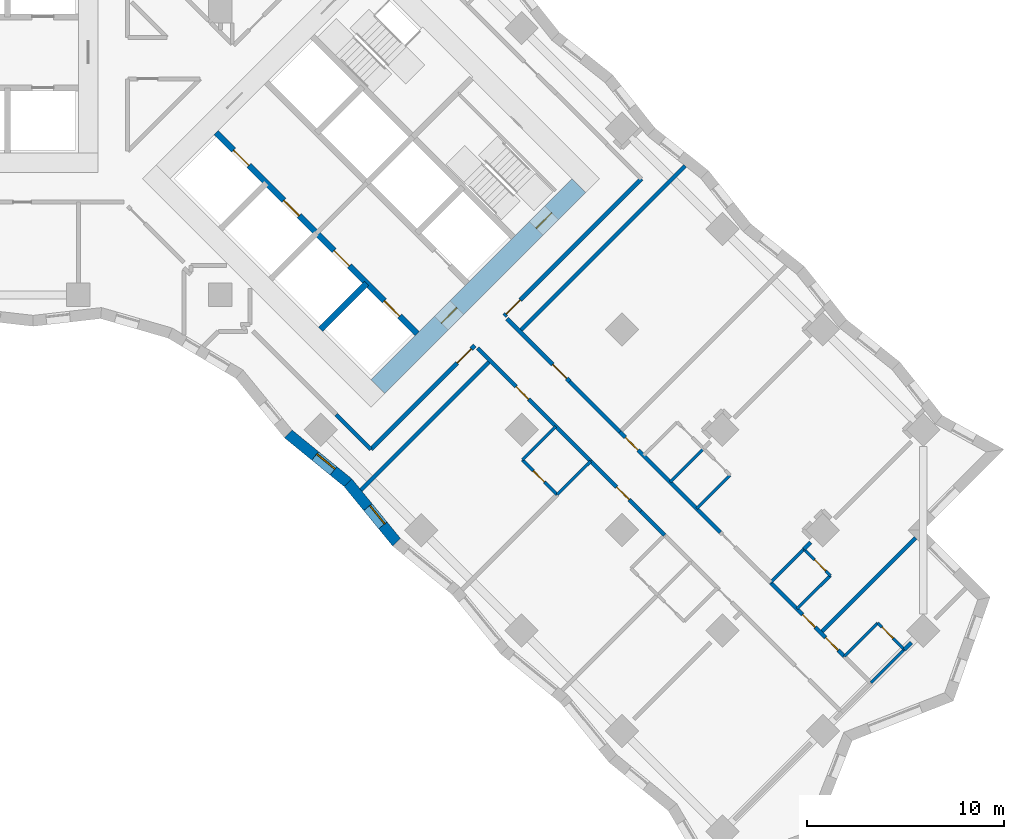
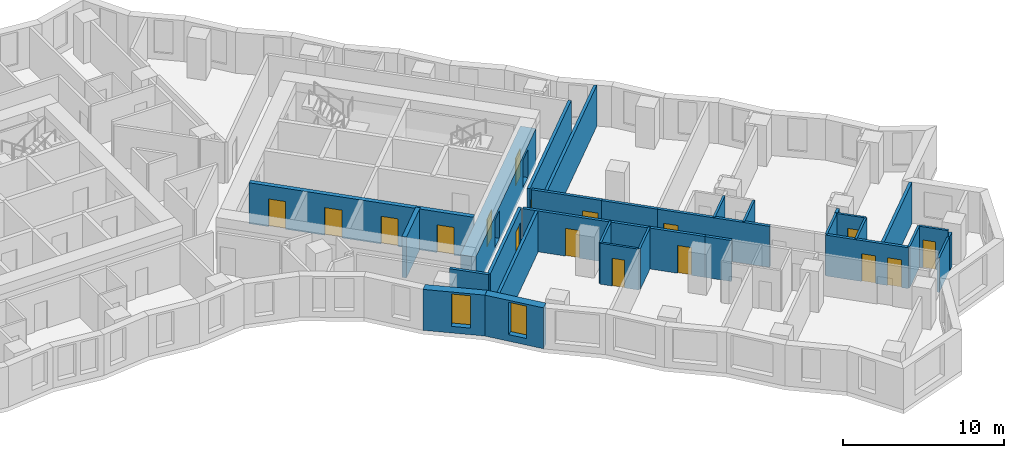
# One storey, part 8 of 12: 31 walls, 17 doors, 2 windows, 19 openings.
"""IFC4 building model written with IfcOpenShell, lengths in metres."""

from ifc_helpers import new_model, si_unit, direction, frame, frame_2d, origin, place, context, subcontext, project, spatial, polyline, rectangle, outline, extrude, material, layer, layer_set, type_object, element, fill, save


model = new_model("IFC4")

# Units and contexts
model_context = context("Model", 3, precision=1e-05, world=origin(), true_north=direction((0.0, 1.0)))
body_context = subcontext(model_context, "Body", "Model", "MODEL_VIEW")
ifc_project = project(units=[si_unit("LENGTHUNIT", "METRE"), si_unit("AREAUNIT", "SQUARE_METRE"), si_unit("VOLUMEUNIT", "CUBIC_METRE"), si_unit("PLANEANGLEUNIT", "RADIAN"), si_unit("MASSUNIT", "GRAM", prefix="KILO")], contexts=[model_context])

# Site, building, storey
site_placement = place(None, origin())
site = spatial("IfcSite", under=ifc_project, at=site_placement, CompositionType="ELEMENT")
building_placement = place(site_placement, origin())
building = spatial("IfcBuilding", under=site, at=building_placement, Name="Windrow Commons", CompositionType="ELEMENT")
storey_placement = place(building_placement, frame((0.0, 0.0, 37.2)))
storey = spatial("IfcBuildingStorey", under=building, at=storey_placement, Name="L09", CompositionType="ELEMENT", Elevation=37.2)

# Wall, opening, window
ifc_material_1 = material(Name="Brick masonry, red clay brick", Category="masonry")
ifc_layer_1 = layer(ifc_material_1, 0.55)
ifc_layer_set_1 = layer_set([ifc_layer_1], Name="Brick facade wall 550")
wall_type_1 = type_object("IfcWallType", Name="Brick facade wall 550", PredefinedType="SOLIDWALL", material=ifc_layer_set_1)
wall_1_placement = place(storey_placement, frame((82.647, 36.1468, 0.0), z_axis=(0.0, 0.0, 1.0), x_axis=(0.7745059294, -0.6325666489, 0.0)))
wall_1 = element("IfcWall", 1, at=wall_1_placement, inside=storey, type_object=wall_type_1, Name="Brick facade wall L09 56", PredefinedType="SOLIDWALL", context=body_context, shape_type="SweptSolid", body=[
    extrude(outline(polyline([(-0.0277, -0.275), (3.8682, -0.275), (3.9237, 0.275), (0.0277, 0.275), (-0.0277, -0.275)])), origin(), (0.0, 0.0, 1.0), 3.1),
])
opening_1_placement = place(wall_1_placement, frame((1.7558, 0.0, 0.5)))
opening_1 = element("IfcOpeningElement", 2, at=opening_1_placement, cuts=wall_1, Name="Opening W7D", PredefinedType="OPENING", context=body_context, shape_type="SweptSolid", body=[
    extrude(rectangle(XDim=1.2, YDim=2.45, at=frame_2d((0.6, 1.225))), frame((0.0, 0.285, 0.0), z_axis=(0.0, -1.0, 0.0), x_axis=(1.0, 0.0, 0.0)), (0.0, 0.0, 1.0), 0.57),
])
ifc_material_2 = material(Name="Clear float glass in anodised aluminium frame", Category="aluminium")
window_type = type_object("IfcWindowType", Name="Window W7 notch 1200x2450", PartitioningType="SINGLE_PANEL", PredefinedType="WINDOW", material=ifc_material_2)
window_1_placement = place(opening_1_placement, origin())
window_1 = element("IfcWindow", 3, at=window_1_placement, inside=storey, type_object=window_type, Name="Window L09 56.1", OverallHeight=2.45, OverallWidth=1.2, PartitioningType="SINGLE_PANEL", PredefinedType="WINDOW", context=body_context, shape_type="SweptSolid", body=[
    extrude(rectangle(XDim=1.2, YDim=2.45, at=frame_2d((0.6, 1.225))), frame((0.0, 0.155, 0.0), z_axis=(0.0, -1.0, 0.0), x_axis=(1.0, 0.0, 0.0)), (0.0, 0.0, 1.0), 0.06),
])
fill(opening_1, window_1)

wall_2_placement = place(storey_placement, frame((85.6645, 33.6823, 0.0), z_axis=(0.0, 0.0, 1.0), x_axis=(0.6325666489, -0.7745059294, 0.0)))
wall_2 = element("IfcWall", 4, at=wall_2_placement, inside=storey, type_object=wall_type_1, Name="Brick facade wall L09 57", PredefinedType="SOLIDWALL", context=body_context, shape_type="SweptSolid", body=[
    extrude(outline(polyline([(0.0277, -0.275), (3.9237, -0.275), (3.8682, 0.275), (-0.0277, 0.275), (0.0277, -0.275)])), origin(), (0.0, 0.0, 1.0), 3.1),
])
opening_2_placement = place(wall_2_placement, frame((1.6031, 0.0, 0.5)))
opening_2 = element("IfcOpeningElement", 5, at=opening_2_placement, cuts=wall_2, Name="Opening W7D", PredefinedType="OPENING", context=body_context, shape_type="SweptSolid", body=[
    extrude(rectangle(XDim=1.2, YDim=2.45, at=frame_2d((0.6, 1.225))), frame((0.0, 0.285, 0.0), z_axis=(0.0, -1.0, 0.0), x_axis=(1.0, 0.0, 0.0)), (0.0, 0.0, 1.0), 0.57),
])
window_2_placement = place(opening_2_placement, origin())
window_2 = element("IfcWindow", 6, at=window_2_placement, inside=storey, type_object=window_type, Name="Window L09 57.1", OverallHeight=2.45, OverallWidth=1.2, PartitioningType="SINGLE_PANEL", PredefinedType="WINDOW", context=body_context, shape_type="SweptSolid", body=[
    extrude(rectangle(XDim=1.2, YDim=2.45, at=frame_2d((0.6, 1.225))), frame((0.0, 0.155, 0.0), z_axis=(0.0, -1.0, 0.0), x_axis=(1.0, 0.0, 0.0)), (0.0, 0.0, 1.0), 0.06),
])
fill(opening_2, window_2)

# Wall, opening, door
ifc_material_3 = material(Name="Blockwork partition", Category="masonry")
ifc_layer_2 = layer(ifc_material_3, 0.2)
ifc_layer_set_2 = layer_set([ifc_layer_2], Name="IW-CORRIDOR-200")
wall_type_2 = type_object("IfcWallType", Name="IW-CORRIDOR-200", PredefinedType="PARTITIONING", material=ifc_layer_set_2)
wall_3_placement = place(storey_placement, frame((93.5896, 42.1264, 0.0), z_axis=(0.0, 0.0, 1.0), x_axis=(0.7071067812, 0.7071067812, 0.0)))
wall_3 = element("IfcWall", 7, at=wall_3_placement, inside=storey, type_object=wall_type_2, Name="W-L09-W011", PredefinedType="PARTITIONING", context=body_context, shape_type="SweptSolid", body=[
    extrude(rectangle(XDim=9.8486, YDim=0.2, at=frame_2d((4.9243, 0.0))), origin(), (0.0, 0.0, 1.0), 3.1),
])
opening_3_placement = place(wall_3_placement, frame((0.1482, 0.0, 0.0)))
opening_3 = element("IfcOpeningElement", 8, at=opening_3_placement, cuts=wall_3, Name="Opening D310F", PredefinedType="OPENING", context=body_context, shape_type="SweptSolid", body=[
    extrude(rectangle(XDim=1.0, YDim=2.1, at=frame_2d((0.5, 1.05))), frame((0.0, 0.11, 0.0), z_axis=(0.0, -1.0, 0.0), x_axis=(1.0, 0.0, 0.0)), (0.0, 0.0, 1.0), 0.22),
])
ifc_material_4 = material(Name="Timber door leaf", Category="wood")
door_type_1 = type_object("IfcDoorType", Name="DT-AMENITY-1000", OperationType="SINGLE_SWING_LEFT", PredefinedType="DOOR", material=ifc_material_4)
door_1_placement = place(opening_3_placement, origin())
door_1 = element("IfcDoor", 9, at=door_1_placement, inside=storey, type_object=door_type_1, Name="D-L09-D039", OperationType="SINGLE_SWING_LEFT", OverallHeight=2.1, OverallWidth=1.0, PredefinedType="DOOR", context=body_context, shape_type="SweptSolid", body=[
    extrude(rectangle(XDim=1.0, YDim=2.1, at=frame_2d((0.5, 1.05))), frame((0.0, 0.025, 0.0), z_axis=(0.0, -1.0, 0.0), x_axis=(1.0, 0.0, 0.0)), (0.0, 0.0, 1.0), 0.05),
])
fill(opening_3, door_1)

wall_4_placement = place(storey_placement, frame((92.243, 40.495, 0.0), z_axis=(0.0, 0.0, 1.0), x_axis=(0.7071067812, -0.7071067812, 0.0)))
wall_4 = element("IfcWall", 10, at=wall_4_placement, inside=storey, type_object=wall_type_2, Name="W-L09-W015", PredefinedType="PARTITIONING", context=body_context, shape_type="SweptSolid", body=[
    extrude(rectangle(XDim=8.1006, YDim=0.2, at=frame_2d((4.0503, 0.0))), origin(), (0.0, 0.0, 1.0), 3.1),
])
opening_4_placement = place(wall_4_placement, frame((2.7498, 0.0, 0.0)))
opening_4 = element("IfcOpeningElement", 11, at=opening_4_placement, cuts=wall_4, Name="Opening D109F", PredefinedType="OPENING", context=body_context, shape_type="SweptSolid", body=[
    extrude(rectangle(XDim=0.9, YDim=2.1, at=frame_2d((0.45, 1.05))), frame((0.0, 0.11, 0.0), z_axis=(0.0, -1.0, 0.0), x_axis=(1.0, 0.0, 0.0)), (0.0, 0.0, 1.0), 0.22),
])
ifc_material_5 = material(Name="Timber door leaf", Category="wood")
door_type_2 = type_object("IfcDoorType", Name="DT-BEDROOM-900", OperationType="SINGLE_SWING_LEFT", PredefinedType="DOOR", material=ifc_material_5)
door_2_placement = place(opening_4_placement, origin())
door_2 = element("IfcDoor", 12, at=door_2_placement, inside=storey, type_object=door_type_2, Name="D-L09-D051", OperationType="SINGLE_SWING_LEFT", OverallHeight=2.1, OverallWidth=0.9, PredefinedType="DOOR", context=body_context, shape_type="SweptSolid", body=[
    extrude(rectangle(XDim=0.9, YDim=2.1, at=frame_2d((0.45, 1.05))), frame((0.0, 0.025, 0.0), z_axis=(0.0, -1.0, 0.0), x_axis=(1.0, 0.0, 0.0)), (0.0, 0.0, 1.0), 0.05),
])
fill(opening_4, door_2)

wall_5_placement = place(storey_placement, frame((86.8356, 35.3724, 0.0), z_axis=(0.0, 0.0, 1.0), x_axis=(0.7071067812, 0.7071067812, 0.0)))
wall_5 = element("IfcWall", 13, at=wall_5_placement, inside=storey, type_object=wall_type_2, Name="W-L09-W016", PredefinedType="PARTITIONING", context=body_context, shape_type="SweptSolid", body=[
    extrude(rectangle(XDim=7.4501, YDim=0.2, at=frame_2d((3.725, 0.0))), origin(), (0.0, 0.0, 1.0), 3.1),
])
opening_5_placement = place(wall_5_placement, frame((6.1921, 0.0, 0.0)))
opening_5 = element("IfcOpeningElement", 14, at=opening_5_placement, cuts=wall_5, Name="Opening D310F", PredefinedType="OPENING", context=body_context, shape_type="SweptSolid", body=[
    extrude(rectangle(XDim=1.0, YDim=2.1, at=frame_2d((0.5, 1.05))), frame((0.0, 0.11, 0.0), z_axis=(0.0, -1.0, 0.0), x_axis=(1.0, 0.0, 0.0)), (0.0, 0.0, 1.0), 0.22),
])
door_3_placement = place(opening_5_placement, origin())
door_3 = element("IfcDoor", 15, at=door_3_placement, inside=storey, type_object=door_type_1, Name="D-L09-D050", OperationType="SINGLE_SWING_RIGHT", OverallHeight=2.1, OverallWidth=1.0, PredefinedType="DOOR", context=body_context, shape_type="SweptSolid", body=[
    extrude(rectangle(XDim=1.0, YDim=2.1, at=frame_2d((0.5, 1.05))), frame((0.0, 0.025, 0.0), z_axis=(0.0, -1.0, 0.0), x_axis=(1.0, 0.0, 0.0)), (0.0, 0.0, 1.0), 0.05),
])
fill(opening_5, door_3)

wall_6_placement = place(storey_placement, frame((99.455, 36.253, 0.0), z_axis=(0.0, 0.0, 1.0), x_axis=(0.7071067812, -0.7071067812, 0.0)))
wall_6 = element("IfcWall", 16, at=wall_6_placement, inside=storey, type_object=wall_type_2, Name="W-L09-W017", PredefinedType="PARTITIONING", context=body_context, shape_type="SweptSolid", body=[
    extrude(rectangle(XDim=7.2012, YDim=0.2, at=frame_2d((3.6006, 0.0))), origin(), (0.0, 0.0, 1.0), 3.1),
])
opening_6_placement = place(wall_6_placement, frame((0.4006, 0.0, 0.0)))
opening_6 = element("IfcOpeningElement", 17, at=opening_6_placement, cuts=wall_6, Name="Opening D109S", PredefinedType="OPENING", context=body_context, shape_type="SweptSolid", body=[
    extrude(rectangle(XDim=0.9, YDim=2.1, at=frame_2d((0.45, 1.05))), frame((0.0, 0.11, 0.0), z_axis=(0.0, -1.0, 0.0), x_axis=(1.0, 0.0, 0.0)), (0.0, 0.0, 1.0), 0.22),
])
door_4_placement = place(opening_6_placement, origin())
door_4 = element("IfcDoor", 18, at=door_4_placement, inside=storey, type_object=door_type_2, Name="D-L09-D041", OperationType="SINGLE_SWING_RIGHT", OverallHeight=2.1, OverallWidth=0.9, PredefinedType="DOOR", context=body_context, shape_type="SweptSolid", body=[
    extrude(rectangle(XDim=0.9, YDim=2.1, at=frame_2d((0.45, 1.05))), frame((0.0, 0.025, 0.0), z_axis=(0.0, -1.0, 0.0), x_axis=(1.0, 0.0, 0.0)), (0.0, 0.0, 1.0), 0.05),
])
fill(opening_6, door_4)

# Wall, openings, doors
wall_7_placement = place(storey_placement, frame((107.093, 28.615, 0.0), z_axis=(0.0, 0.0, 1.0), x_axis=(0.7072011313, -0.7070124185, 0.0)))
wall_7 = element("IfcWall", 19, at=wall_7_placement, inside=storey, type_object=wall_type_2, Name="W-L09-W038", PredefinedType="PARTITIONING", context=body_context, shape_type="SweptSolid", body=[
    extrude(rectangle(XDim=5.2991, YDim=0.2, at=frame_2d((2.6496, 0.0))), origin(), (0.0, 0.0, 1.0), 3.1),
])
opening_7_placement = place(wall_7_placement, frame((2.2988, 0.0, 0.0)))
opening_7 = element("IfcOpeningElement", 20, at=opening_7_placement, cuts=wall_7, Name="Opening D109S", PredefinedType="OPENING", context=body_context, shape_type="SweptSolid", body=[
    extrude(rectangle(XDim=0.9, YDim=2.1, at=frame_2d((0.45, 1.05))), frame((0.0, 0.11, 0.0), z_axis=(0.0, -1.0, 0.0), x_axis=(1.0, 0.0, 0.0)), (0.0, 0.0, 1.0), 0.22),
])
opening_8_placement = place(wall_7_placement, frame((3.9488, 0.0, 0.0)))
opening_8 = element("IfcOpeningElement", 21, at=opening_8_placement, cuts=wall_7, Name="Opening D109S", PredefinedType="OPENING", context=body_context, shape_type="SweptSolid", body=[
    extrude(rectangle(XDim=0.9, YDim=2.1, at=frame_2d((0.45, 1.05))), frame((0.0, 0.11, 0.0), z_axis=(0.0, -1.0, 0.0), x_axis=(1.0, 0.0, 0.0)), (0.0, 0.0, 1.0), 0.22),
])
door_5_placement = place(opening_7_placement, origin())
door_5 = element("IfcDoor", 22, at=door_5_placement, inside=storey, type_object=door_type_2, Name="D-L09-D045", OperationType="SINGLE_SWING_LEFT", OverallHeight=2.1, OverallWidth=0.9, PredefinedType="DOOR", context=body_context, shape_type="SweptSolid", body=[
    extrude(rectangle(XDim=0.9, YDim=2.1, at=frame_2d((0.45, 1.05))), frame((0.0, 0.025, 0.0), z_axis=(0.0, -1.0, 0.0), x_axis=(1.0, 0.0, 0.0)), (0.0, 0.0, 1.0), 0.05),
])
fill(opening_7, door_5)
door_6_placement = place(opening_8_placement, origin())
door_6 = element("IfcDoor", 23, at=door_6_placement, inside=storey, type_object=door_type_2, Name="D-L09-D058", OperationType="SINGLE_SWING_RIGHT", OverallHeight=2.1, OverallWidth=0.9, PredefinedType="DOOR", context=body_context, shape_type="SweptSolid", body=[
    extrude(rectangle(XDim=0.9, YDim=2.1, at=frame_2d((0.45, 1.05))), frame((0.0, 0.025, 0.0), z_axis=(0.0, -1.0, 0.0), x_axis=(1.0, 0.0, 0.0)), (0.0, 0.0, 1.0), 0.05),
])
fill(opening_8, door_6)

# Wall, opening, door
wall_8_placement = place(storey_placement, frame((93.735, 41.987, 0.0), z_axis=(0.0, 0.0, 1.0), x_axis=(0.7071067812, -0.7071067812, 0.0)))
wall_8 = element("IfcWall", 24, at=wall_8_placement, inside=storey, type_object=wall_type_2, Name="W-L09-W045", PredefinedType="PARTITIONING", context=body_context, shape_type="SweptSolid", body=[
    extrude(rectangle(XDim=4.5, YDim=0.2, at=frame_2d((2.25, 0.0))), origin(), (0.0, 0.0, 1.0), 3.1),
])
opening_9_placement = place(wall_8_placement, frame((3.2736, 0.0, 0.0)))
opening_9 = element("IfcOpeningElement", 25, at=opening_9_placement, cuts=wall_8, Name="Opening D310F", PredefinedType="OPENING", context=body_context, shape_type="SweptSolid", body=[
    extrude(rectangle(XDim=1.0, YDim=2.1, at=frame_2d((0.5, 1.05))), frame((0.0, 0.11, 0.0), z_axis=(0.0, -1.0, 0.0), x_axis=(1.0, 0.0, 0.0)), (0.0, 0.0, 1.0), 0.22),
])
door_7_placement = place(opening_9_placement, origin())
door_7 = element("IfcDoor", 26, at=door_7_placement, inside=storey, type_object=door_type_1, Name="D-L09-D040", OperationType="SINGLE_SWING_RIGHT", OverallHeight=2.1, OverallWidth=1.0, PredefinedType="DOOR", context=body_context, shape_type="SweptSolid", body=[
    extrude(rectangle(XDim=1.0, YDim=2.1, at=frame_2d((0.5, 1.05))), frame((0.0, 0.025, 0.0), z_axis=(0.0, -1.0, 0.0), x_axis=(1.0, 0.0, 0.0)), (0.0, 0.0, 1.0), 0.05),
])
fill(opening_9, door_7)

# Wall
wall_9_placement = place(storey_placement, frame((96.9127, 38.8007, 0.0), z_axis=(0.0, 0.0, 1.0), x_axis=(0.7068288851, -0.7073845681, 0.0)))
element("IfcWall", 27, at=wall_9_placement, inside=storey, type_object=wall_type_2, Name="W-L09-W056", PredefinedType="PARTITIONING", context=body_context, shape_type="SweptSolid", body=[
    extrude(rectangle(XDim=3.5992, YDim=0.2, at=frame_2d((1.7996, 0.0))), origin(), (0.0, 0.0, 1.0), 3.1),
])

# Wall, opening, door
wall_10_placement = place(storey_placement, frame((97.9764, 34.7724, 0.0), z_axis=(0.0, 0.0, 1.0), x_axis=(0.7073845681, -0.7068288851, 0.0)))
wall_10 = element("IfcWall", 28, at=wall_10_placement, inside=storey, type_object=wall_type_2, Name="W-L09-W057", PredefinedType="PARTITIONING", context=body_context, shape_type="SweptSolid", body=[
    extrude(rectangle(XDim=3.5992, YDim=0.2, at=frame_2d((1.7996, 0.0))), origin(), (0.0, 0.0, 1.0), 3.1),
])
opening_10_placement = place(wall_10_placement, frame((1.8576, 0.0, 0.0)))
opening_10 = element("IfcOpeningElement", 29, at=opening_10_placement, cuts=wall_10, Name="Opening D109F", PredefinedType="OPENING", context=body_context, shape_type="SweptSolid", body=[
    extrude(rectangle(XDim=0.9, YDim=2.1, at=frame_2d((0.45, 1.05))), frame((0.0, 0.11, 0.0), z_axis=(0.0, -1.0, 0.0), x_axis=(1.0, 0.0, 0.0)), (0.0, 0.0, 1.0), 0.22),
])
door_8_placement = place(opening_10_placement, origin())
door_8 = element("IfcDoor", 30, at=door_8_placement, inside=storey, type_object=door_type_2, Name="D-L09-D053", OperationType="SINGLE_SWING_LEFT", OverallHeight=2.1, OverallWidth=0.9, PredefinedType="DOOR", context=body_context, shape_type="SweptSolid", body=[
    extrude(rectangle(XDim=0.9, YDim=2.1, at=frame_2d((0.45, 1.05))), frame((0.0, 0.025, 0.0), z_axis=(0.0, -1.0, 0.0), x_axis=(1.0, 0.0, 0.0)), (0.0, 0.0, 1.0), 0.05),
])
fill(opening_10, door_8)

# Walls
wall_11_placement = place(storey_placement, frame((85.0651, 37.1371, 0.0), z_axis=(0.0, 0.0, 1.0), x_axis=(0.7071067812, -0.7071067812, 0.0)))
element("IfcWall", 31, at=wall_11_placement, inside=storey, type_object=wall_type_2, Name="W-L09-W069", PredefinedType="PARTITIONING", context=body_context, shape_type="SweptSolid", body=[
    extrude(rectangle(XDim=2.5003, YDim=0.2, at=frame_2d((1.2502, 0.0))), origin(), (0.0, 0.0, 1.0), 3.1),
])
wall_12_placement = place(storey_placement, frame((100.5231, 32.2291, 0.0), z_axis=(0.0, 0.0, 1.0), x_axis=(0.7071067812, -0.7071067812, 0.0)))
element("IfcWall", 32, at=wall_12_placement, inside=storey, type_object=wall_type_2, Name="W-L09-W150", PredefinedType="PARTITIONING", context=body_context, shape_type="SweptSolid", body=[
    extrude(rectangle(XDim=1.6999, YDim=0.2, at=frame_2d((0.8499, 0.0))), origin(), (0.0, 0.0, 1.0), 3.1),
])

# Wall, opening, door
ifc_material_6 = material(Name="Blockwork partition", Category="masonry")
ifc_layer_3 = layer(ifc_material_6, 0.15)
ifc_layer_set_3 = layer_set([ifc_layer_3], Name="IW-ENSUITE-150")
wall_type_3 = type_object("IfcWallType", Name="IW-ENSUITE-150", PredefinedType="PARTITIONING", material=ifc_layer_set_3)
wall_13_placement = place(storey_placement, frame((94.505, 34.839, 0.0), z_axis=(0.0, 0.0, 1.0), x_axis=(0.7071067812, -0.7071067812, 0.0)))
wall_13 = element("IfcWall", 33, at=wall_13_placement, inside=storey, type_object=wall_type_3, Name="W-L09-W070", PredefinedType="PARTITIONING", context=body_context, shape_type="SweptSolid", body=[
    extrude(rectangle(XDim=2.5003, YDim=0.15, at=frame_2d((1.2502, 0.0))), origin(), (0.0, 0.0, 1.0), 3.1),
])
opening_11_placement = place(wall_13_placement, frame((0.7918, 0.0, 0.0)))
opening_11 = element("IfcOpeningElement", 34, at=opening_11_placement, cuts=wall_13, Name="Opening D208N", PredefinedType="OPENING", context=body_context, shape_type="SweptSolid", body=[
    extrude(rectangle(XDim=0.8, YDim=2.1, at=frame_2d((0.4, 1.05))), frame((0.0, 0.085, 0.0), z_axis=(0.0, -1.0, 0.0), x_axis=(1.0, 0.0, 0.0)), (0.0, 0.0, 1.0), 0.17),
])
ifc_material_7 = material(Name="Timber door leaf", Category="wood")
door_type_3 = type_object("IfcDoorType", Name="DT-ENSUITE-800", OperationType="SINGLE_SWING_LEFT", PredefinedType="DOOR", material=ifc_material_7)
door_9_placement = place(opening_11_placement, origin())
door_9 = element("IfcDoor", 35, at=door_9_placement, inside=storey, type_object=door_type_3, Name="D-L09-D052", OperationType="SINGLE_SWING_RIGHT", OverallHeight=2.1, OverallWidth=0.8, PredefinedType="DOOR", context=body_context, shape_type="SweptSolid", body=[
    extrude(rectangle(XDim=0.8, YDim=2.1, at=frame_2d((0.4, 1.05))), frame((0.0, 0.025, 0.0), z_axis=(0.0, -1.0, 0.0), x_axis=(1.0, 0.0, 0.0)), (0.0, 0.0, 1.0), 0.05),
])
fill(opening_11, door_9)

# Walls
wall_14_placement = place(storey_placement, frame((102.0032, 33.7108, 0.0), z_axis=(0.0, 0.0, 1.0), x_axis=(0.7071067812, 0.7071067812, 0.0)))
element("IfcWall", 36, at=wall_14_placement, inside=storey, type_object=wall_type_3, Name="W-L09-W074", PredefinedType="PARTITIONING", context=body_context, shape_type="SweptSolid", body=[
    extrude(rectangle(XDim=2.4013, YDim=0.15, at=frame_2d((1.2006, 0.0))), origin(), (0.0, 0.0, 1.0), 3.1),
])
for number, where, z_axis, x_axis, name in (
    (37, (96.2784, 33.0716, 0.0), (0.0, 0.0, 1.0), (0.7075233388, 0.706689978, 0.0), "W-L09-W102"),
    (38, (94.5106, 34.8394, 0.0), (0.0, 0.0, 1.0), (0.7075233388, 0.706689978, 0.0), "W-L09-W103"),
    (39, (108.4354, 27.2786, 0.0), (0.0, 0.0, 1.0), (0.7075233388, 0.706689978, 0.0), "W-L09-W106"),
    (40, (103.3491, 32.3649, 0.0), (0.0, 0.0, 1.0), (0.706689978, 0.7075233388, 0.0), "W-L09-W107"),
):
    element("IfcWall", number, at=place(storey_placement, frame(where, z_axis=z_axis, x_axis=x_axis)), inside=storey, type_object=wall_type_3, Name=name, PredefinedType="PARTITIONING", context=body_context, shape_type="SweptSolid", body=[
        extrude(rectangle(XDim=2.3999, YDim=0.15, at=frame_2d((1.2, 0.0))), origin(), (0.0, 0.0, 1.0), 3.1),
    ])
wall_15_placement = place(storey_placement, frame((112.1831, 23.5309, 0.0), z_axis=(0.0, 0.0, 1.0), x_axis=(0.7075233388, 0.706689978, 0.0)))
element("IfcWall", 41, at=wall_15_placement, inside=storey, type_object=wall_type_3, Name="W-L09-W108", PredefinedType="PARTITIONING", context=body_context, shape_type="SweptSolid", body=[
    extrude(rectangle(XDim=2.3999, YDim=0.15, at=frame_2d((1.2, 0.0))), origin(), (0.0, 0.0, 1.0), 2.6),
])
for number, where, z_axis, x_axis, name in (
    (42, (107.0954, 28.6206, 0.0), (0.0, 0.0, 1.0), (0.7071067812, 0.7071067812, 0.0), "W-L09-W110"),
    (43, (110.843, 24.873, 0.0), (0.0, 0.0, 1.0), (0.7071067812, 0.7071067812, 0.0), "W-L09-W111"),
):
    element("IfcWall", number, at=place(storey_placement, frame(where, z_axis=z_axis, x_axis=x_axis)), inside=storey, type_object=wall_type_3, Name=name, PredefinedType="PARTITIONING", context=body_context, shape_type="SweptSolid", body=[
        extrude(rectangle(XDim=2.3985, YDim=0.15, at=frame_2d((1.1992, 0.0))), origin(), (0.0, 0.0, 1.0), 3.1),
    ])

# Wall, opening, door
wall_16_placement = place(storey_placement, frame((108.789, 30.313, 0.0), z_axis=(0.0, 0.0, 1.0), x_axis=(0.7071067812, -0.7071067812, 0.0)))
wall_16 = element("IfcWall", 44, at=wall_16_placement, inside=storey, type_object=wall_type_3, Name="W-L09-W124", PredefinedType="PARTITIONING", context=body_context, shape_type="SweptSolid", body=[
    extrude(rectangle(XDim=1.9007, YDim=0.15, at=frame_2d((0.9504, 0.0))), origin(), (0.0, 0.0, 1.0), 3.1),
])
opening_12_placement = place(wall_16_placement, frame((0.7596, 0.0, 0.0)))
opening_12 = element("IfcOpeningElement", 45, at=opening_12_placement, cuts=wall_16, Name="Opening D208N", PredefinedType="OPENING", context=body_context, shape_type="SweptSolid", body=[
    extrude(rectangle(XDim=0.8, YDim=2.1, at=frame_2d((0.4, 1.05))), frame((0.0, 0.085, 0.0), z_axis=(0.0, -1.0, 0.0), x_axis=(1.0, 0.0, 0.0)), (0.0, 0.0, 1.0), 0.17),
])
door_10_placement = place(opening_12_placement, origin())
door_10 = element("IfcDoor", 46, at=door_10_placement, inside=storey, type_object=door_type_3, Name="D-L09-D046", OperationType="SINGLE_SWING_RIGHT", OverallHeight=2.1, OverallWidth=0.8, PredefinedType="DOOR", context=body_context, shape_type="SweptSolid", body=[
    extrude(rectangle(XDim=0.8, YDim=2.1, at=frame_2d((0.4, 1.05))), frame((0.0, 0.025, 0.0), z_axis=(0.0, -1.0, 0.0), x_axis=(1.0, 0.0, 0.0)), (0.0, 0.0, 1.0), 0.05),
])
fill(opening_12, door_10)

wall_17_placement = place(storey_placement, frame((112.537, 26.565, 0.0), z_axis=(0.0, 0.0, 1.0), x_axis=(0.7071067812, -0.7071067812, 0.0)))
wall_17 = element("IfcWall", 47, at=wall_17_placement, inside=storey, type_object=wall_type_3, Name="W-L09-W125", PredefinedType="PARTITIONING", context=body_context, shape_type="SweptSolid", body=[
    extrude(rectangle(XDim=1.9007, YDim=0.15, at=frame_2d((0.9504, 0.0))), origin(), (0.0, 0.0, 1.0), 3.1),
])
opening_13_placement = place(wall_17_placement, frame((0.297, 0.0, 0.0)))
opening_13 = element("IfcOpeningElement", 48, at=opening_13_placement, cuts=wall_17, Name="Opening D208N", PredefinedType="OPENING", context=body_context, shape_type="SweptSolid", body=[
    extrude(rectangle(XDim=0.8, YDim=2.1, at=frame_2d((0.4, 1.05))), frame((0.0, 0.085, 0.0), z_axis=(0.0, -1.0, 0.0), x_axis=(1.0, 0.0, 0.0)), (0.0, 0.0, 1.0), 0.17),
])
door_11_placement = place(opening_13_placement, origin())
door_11 = element("IfcDoor", 49, at=door_11_placement, inside=storey, type_object=door_type_3, Name="D-L09-D059", OperationType="SINGLE_SWING_RIGHT", OverallHeight=2.1, OverallWidth=0.8, PredefinedType="DOOR", context=body_context, shape_type="SweptSolid", body=[
    extrude(rectangle(XDim=0.8, YDim=2.1, at=frame_2d((0.4, 1.05))), frame((0.0, 0.025, 0.0), z_axis=(0.0, -1.0, 0.0), x_axis=(1.0, 0.0, 0.0)), (0.0, 0.0, 1.0), 0.05),
])
fill(opening_13, door_11)

# Walls
ifc_material_8 = material(Name="Blockwork partition", Category="masonry")
ifc_layer_4 = layer(ifc_material_8, 0.2)
ifc_layer_set_4 = layer_set([ifc_layer_4], Name="IW-PARTY-200")
wall_type_4 = type_object("IfcWallType", Name="IW-PARTY-200", PredefinedType="PARTITIONING", material=ifc_layer_set_4)
wall_18_placement = place(storey_placement, frame((94.3674, 41.3486, 0.0), z_axis=(0.0, 0.0, 1.0), x_axis=(0.7071109931, 0.7071025693, 0.0)))
element("IfcWall", 50, at=wall_18_placement, inside=storey, type_object=wall_type_4, Name="W-L09-W007", PredefinedType="PARTITIONING", context=body_context, shape_type="SweptSolid", body=[
    extrude(rectangle(XDim=11.8711, YDim=0.2, at=frame_2d((5.9356, 0.0))), origin(), (0.0, 0.0, 1.0), 3.1),
])
wall_19_placement = place(storey_placement, frame((86.3304, 33.3018, 0.0), z_axis=(0.0, 0.0, 1.0), x_axis=(0.7069989149, 0.707214631, 0.0)))
element("IfcWall", 51, at=wall_19_placement, inside=storey, type_object=wall_type_4, Name="W-L09-W014", PredefinedType="PARTITIONING", context=body_context, shape_type="SweptSolid", body=[
    extrude(rectangle(XDim=9.2714, YDim=0.2, at=frame_2d((4.6357, 0.0))), origin(), (0.0, 0.0, 1.0), 3.1),
])
wall_20_placement = place(storey_placement, frame((109.6401, 26.0739, 0.0), z_axis=(0.0, 0.0, 1.0), x_axis=(0.7072538194, 0.7069597124, 0.0)))
element("IfcWall", 52, at=wall_20_placement, inside=storey, type_object=wall_type_4, Name="W-L09-W022", PredefinedType="PARTITIONING", context=body_context, shape_type="SweptSolid", body=[
    extrude(rectangle(XDim=6.8002, YDim=0.2, at=frame_2d((3.4001, 0.0))), origin(), (0.0, 0.0, 1.0), 3.1),
])
wall_21_placement = place(storey_placement, frame((113.8848, 25.2232, 0.0), z_axis=(0.0, 0.0, 1.0), x_axis=(0.7051121336, 0.709095818, 0.0)))
element("IfcWall", 53, at=wall_21_placement, inside=storey, type_object=wall_type_4, Name="W-L09-W183", PredefinedType="PARTITIONING", context=body_context, shape_type="SweptSolid", body=[
    extrude(rectangle(XDim=0.502, YDim=0.2, at=frame_2d((0.251, 0.0))), origin(), (0.0, 0.0, 1.0), 2.6),
])
wall_22_placement = place(storey_placement, frame((108.7914, 30.3166, 0.0), z_axis=(0.0, 0.0, 1.0), x_axis=(0.7071067812, 0.7071067812, 0.0)))
element("IfcWall", 54, at=wall_22_placement, inside=storey, type_object=wall_type_4, Name="W-L09-W190", PredefinedType="PARTITIONING", context=body_context, shape_type="SweptSolid", body=[
    extrude(rectangle(XDim=0.4808, YDim=0.2, at=frame_2d((0.2404, 0.0))), origin(), (0.0, 0.0, 1.0), 3.1),
])

# Wall, openings, doors
ifc_material_9 = material(Name="Concrete C60/75", Category="concrete")
ifc_layer_5 = layer(ifc_material_9, 1.0)
ifc_layer_set_5 = layer_set([ifc_layer_5], Name="RC CORE WALL 1000 C60/75")
wall_type_5 = type_object("IfcWallType", Name="RC CORE WALL 1000 C60/75", PredefinedType="SHEAR", material=ifc_layer_set_5)
wall_23_placement = place(storey_placement, frame((87.1903, 38.5538, -0.3), z_axis=(0.0, 0.0, 1.0), x_axis=(0.707103309, 0.7071102534, 0.0)))
wall_23 = element("IfcWall", 55, at=wall_23_placement, inside=storey, type_object=wall_type_5, Name="Core B wall outer-E", PredefinedType="SHEAR", context=body_context, shape_type="SweptSolid", body=[
    extrude(rectangle(XDim=14.4, YDim=1.0, at=frame_2d((7.2, 0.0))), origin(), (0.0, 0.0, 1.0), 2.7),
])
opening_14_placement = place(wall_23_placement, frame((4.55, 0.0, 0.3)))
opening_14 = element("IfcOpeningElement", 56, at=opening_14_placement, cuts=wall_23, Name="Opening D6", PredefinedType="OPENING", context=body_context, shape_type="SweptSolid", body=[
    extrude(rectangle(XDim=1.1, YDim=2.1, at=frame_2d((0.55, 1.05))), frame((0.0, 0.51, 0.0), z_axis=(0.0, -1.0, 0.0), x_axis=(1.0, 0.0, 0.0)), (0.0, 0.0, 1.0), 1.02),
])
opening_15_placement = place(wall_23_placement, frame((11.35, 0.0, 0.3)))
opening_15 = element("IfcOpeningElement", 57, at=opening_15_placement, cuts=wall_23, Name="Opening D7", PredefinedType="OPENING", context=body_context, shape_type="SweptSolid", body=[
    extrude(rectangle(XDim=1.1, YDim=2.1, at=frame_2d((0.55, 1.05))), frame((0.0, 0.51, 0.0), z_axis=(0.0, -1.0, 0.0), x_axis=(1.0, 0.0, 0.0)), (0.0, 0.0, 1.0), 1.02),
])
ifc_material_10 = material(Name="Steel fire door leaf", Category="steel")
door_type_4 = type_object("IfcDoorType", Name="Core lobby door 1100", OperationType="SINGLE_SWING_LEFT", PredefinedType="DOOR", material=ifc_material_10)
door_12_placement = place(opening_14_placement, origin())
door_12 = element("IfcDoor", 58, at=door_12_placement, inside=storey, type_object=door_type_4, Name="Lift lobby door", OperationType="DOUBLE_DOOR_SINGLE_SWING", OverallHeight=2.1, OverallWidth=1.1, PredefinedType="DOOR", context=body_context, shape_type="SweptSolid", body=[
    extrude(rectangle(XDim=1.1, YDim=2.1, at=frame_2d((0.55, 1.05))), frame((0.0, 0.025, 0.0), z_axis=(0.0, -1.0, 0.0), x_axis=(1.0, 0.0, 0.0)), (0.0, 0.0, 1.0), 0.05),
])
fill(opening_14, door_12)
ifc_material_11 = material(Name="Steel fire door leaf", Category="steel")
door_type_5 = type_object("IfcDoorType", Name="Stair door 1100", OperationType="SINGLE_SWING_LEFT", PredefinedType="DOOR", material=ifc_material_11)
door_13_placement = place(opening_15_placement, origin())
door_13 = element("IfcDoor", 59, at=door_13_placement, inside=storey, type_object=door_type_5, Name="Stair door", OperationType="SINGLE_SWING_RIGHT", OverallHeight=2.1, OverallWidth=1.1, PredefinedType="DOOR", context=body_context, shape_type="SweptSolid", body=[
    extrude(rectangle(XDim=1.1, YDim=2.1, at=frame_2d((0.55, 1.05))), frame((0.0, 0.025, 0.0), z_axis=(0.0, -1.0, 0.0), x_axis=(1.0, 0.0, 0.0)), (0.0, 0.0, 1.0), 0.05),
])
fill(opening_15, door_13)

# Wall
ifc_material_12 = material(Name="Concrete C60/75", Category="concrete")
ifc_layer_6 = layer(ifc_material_12, 0.3)
ifc_layer_set_6 = layer_set([ifc_layer_6], Name="RC SHAFT WALL 300 C60/75")
wall_type_6 = type_object("IfcWallType", Name="RC SHAFT WALL 300 C60/75", PredefinedType="SOLIDWALL", material=ifc_layer_set_6)
wall_24_placement = place(storey_placement, frame((84.2912, 41.453, 0.0), z_axis=(0.0, 0.0, 1.0), x_axis=(0.7071067812, 0.7071067812, 0.0)))
element("IfcWall", 60, at=wall_24_placement, inside=storey, type_object=wall_type_6, Name="Core B wall shaft-S3", PredefinedType="SOLIDWALL", context=body_context, shape_type="SweptSolid", body=[
    extrude(rectangle(XDim=3.2999, YDim=0.3, at=frame_2d((1.65, 0.0))), origin(), (0.0, 0.0, 1.0), 3.1),
])

# Wall, openings, doors
wall_25_placement = place(storey_placement, frame((78.9879, 51.4232, 0.0), z_axis=(0.0, 0.0, 1.0), x_axis=(0.7071067812, -0.7071067812, 0.0)))
wall_25 = element("IfcWall", 61, at=wall_25_placement, inside=storey, type_object=wall_type_6, Name="Core B wall lobby-S", PredefinedType="SOLIDWALL", context=body_context, shape_type="SweptSolid", body=[
    extrude(rectangle(XDim=14.3999, YDim=0.3, at=frame_2d((7.2, 0.0))), origin(), (0.0, 0.0, 1.0), 3.1),
])
opening_16_placement = place(wall_25_placement, frame((1.25, 0.0, 0.0)))
opening_16 = element("IfcOpeningElement", 62, at=opening_16_placement, cuts=wall_25, Name="Opening LD", PredefinedType="OPENING", context=body_context, shape_type="SweptSolid", body=[
    extrude(rectangle(XDim=1.1, YDim=2.1, at=frame_2d((0.55, 1.05))), frame((0.0, 0.16, 0.0), z_axis=(0.0, -1.0, 0.0), x_axis=(1.0, 0.0, 0.0)), (0.0, 0.0, 1.0), 0.32),
])
opening_17_placement = place(wall_25_placement, frame((4.85, 0.0, 0.0)))
opening_17 = element("IfcOpeningElement", 63, at=opening_17_placement, cuts=wall_25, Name="Opening LD", PredefinedType="OPENING", context=body_context, shape_type="SweptSolid", body=[
    extrude(rectangle(XDim=1.1, YDim=2.1, at=frame_2d((0.55, 1.05))), frame((0.0, 0.16, 0.0), z_axis=(0.0, -1.0, 0.0), x_axis=(1.0, 0.0, 0.0)), (0.0, 0.0, 1.0), 0.32),
])
opening_18_placement = place(wall_25_placement, frame((8.45, 0.0, 0.0)))
opening_18 = element("IfcOpeningElement", 64, at=opening_18_placement, cuts=wall_25, Name="Opening LD", PredefinedType="OPENING", context=body_context, shape_type="SweptSolid", body=[
    extrude(rectangle(XDim=1.1, YDim=2.1, at=frame_2d((0.55, 1.05))), frame((0.0, 0.16, 0.0), z_axis=(0.0, -1.0, 0.0), x_axis=(1.0, 0.0, 0.0)), (0.0, 0.0, 1.0), 0.32),
])
opening_19_placement = place(wall_25_placement, frame((12.05, 0.0, 0.0)))
opening_19 = element("IfcOpeningElement", 65, at=opening_19_placement, cuts=wall_25, Name="Opening LD", PredefinedType="OPENING", context=body_context, shape_type="SweptSolid", body=[
    extrude(rectangle(XDim=1.1, YDim=2.1, at=frame_2d((0.55, 1.05))), frame((0.0, 0.16, 0.0), z_axis=(0.0, -1.0, 0.0), x_axis=(1.0, 0.0, 0.0)), (0.0, 0.0, 1.0), 0.32),
])
ifc_material_13 = material(Name="Stainless steel door leaf", Category="steel")
door_type_6 = type_object("IfcDoorType", Name="Lift landing door 1100", OperationType="SLIDING_TO_LEFT", PredefinedType="DOOR", material=ifc_material_13)
door_14_placement = place(opening_16_placement, origin())
door_14 = element("IfcDoor", 66, at=door_14_placement, inside=storey, type_object=door_type_6, Name="Lift landing door", OperationType="SLIDING_TO_LEFT", OverallHeight=2.1, OverallWidth=1.1, PredefinedType="DOOR", context=body_context, shape_type="SweptSolid", body=[
    extrude(rectangle(XDim=1.1, YDim=2.1, at=frame_2d((0.55, 1.05))), frame((0.0, 0.025, 0.0), z_axis=(0.0, -1.0, 0.0), x_axis=(1.0, 0.0, 0.0)), (0.0, 0.0, 1.0), 0.05),
])
fill(opening_16, door_14)
door_15_placement = place(opening_17_placement, origin())
door_15 = element("IfcDoor", 67, at=door_15_placement, inside=storey, type_object=door_type_6, Name="Lift landing door", OperationType="SLIDING_TO_RIGHT", OverallHeight=2.1, OverallWidth=1.1, PredefinedType="DOOR", context=body_context, shape_type="SweptSolid", body=[
    extrude(rectangle(XDim=1.1, YDim=2.1, at=frame_2d((0.55, 1.05))), frame((0.0, 0.025, 0.0), z_axis=(0.0, -1.0, 0.0), x_axis=(1.0, 0.0, 0.0)), (0.0, 0.0, 1.0), 0.05),
])
fill(opening_17, door_15)
door_16_placement = place(opening_18_placement, origin())
door_16 = element("IfcDoor", 68, at=door_16_placement, inside=storey, type_object=door_type_6, Name="Lift landing door", OperationType="SLIDING_TO_LEFT", OverallHeight=2.1, OverallWidth=1.1, PredefinedType="DOOR", context=body_context, shape_type="SweptSolid", body=[
    extrude(rectangle(XDim=1.1, YDim=2.1, at=frame_2d((0.55, 1.05))), frame((0.0, 0.025, 0.0), z_axis=(0.0, -1.0, 0.0), x_axis=(1.0, 0.0, 0.0)), (0.0, 0.0, 1.0), 0.05),
])
fill(opening_18, door_16)
door_17_placement = place(opening_19_placement, origin())
door_17 = element("IfcDoor", 69, at=door_17_placement, inside=storey, type_object=door_type_6, Name="Lift landing door", OperationType="SLIDING_TO_RIGHT", OverallHeight=2.1, OverallWidth=1.1, PredefinedType="DOOR", context=body_context, shape_type="SweptSolid", body=[
    extrude(rectangle(XDim=1.1, YDim=2.1, at=frame_2d((0.55, 1.05))), frame((0.0, 0.025, 0.0), z_axis=(0.0, -1.0, 0.0), x_axis=(1.0, 0.0, 0.0)), (0.0, 0.0, 1.0), 0.05),
])
fill(opening_19, door_17)

save(model, "model.ifc")
